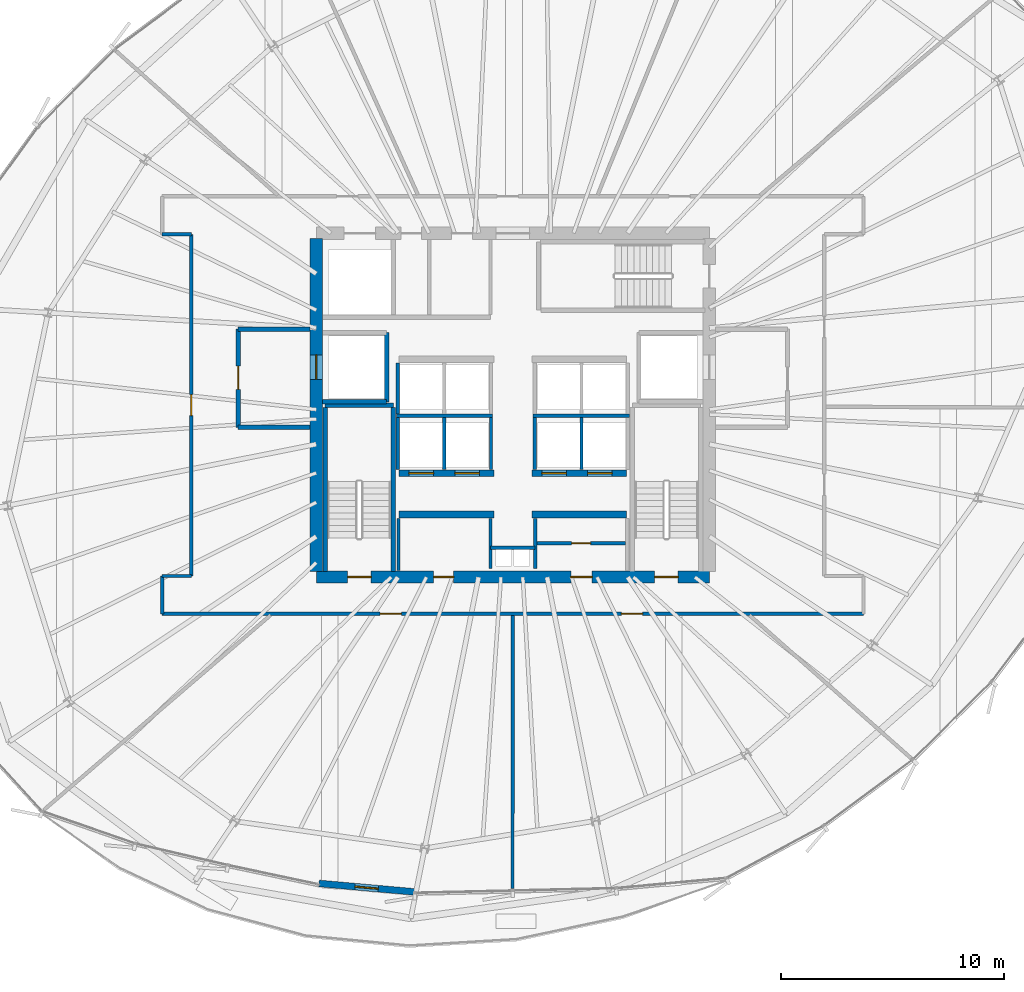
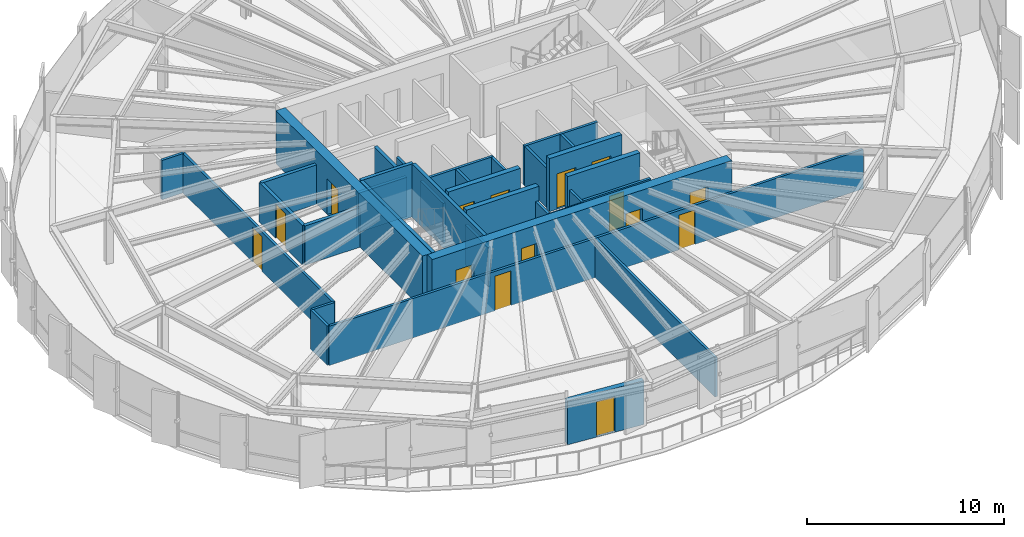
# One storey, part 31 of 37: 34 walls, 15 doors, 15 openings.
"""IFC4 building model written with IfcOpenShell, lengths in metres."""

from ifc_helpers import new_model, si_unit, direction, frame, frame_2d, origin, place, context, subcontext, project, spatial, rectangle, extrude, source, transform, mapped, material, layer, layer_set, type_object, element, fill, save


model = new_model("IFC4")

# Units and contexts
model_context = context("Model", 3, precision=1e-05, world=origin(), true_north=direction((0.0, 1.0)))
body_context = subcontext(model_context, "Body", "Model", "MODEL_VIEW")
ifc_project = project(units=[si_unit("LENGTHUNIT", "METRE"), si_unit("AREAUNIT", "SQUARE_METRE"), si_unit("VOLUMEUNIT", "CUBIC_METRE"), si_unit("PLANEANGLEUNIT", "RADIAN"), si_unit("MASSUNIT", "GRAM", prefix="KILO"), si_unit("THERMODYNAMICTEMPERATUREUNIT", "KELVIN")], contexts=[model_context])

# Site, building, storey
site_placement = place(None, origin())
site = spatial("IfcSite", under=ifc_project, at=site_placement, CompositionType="ELEMENT")
building_placement = place(site_placement, origin())
building = spatial("IfcBuilding", under=site, at=building_placement, Name="Kethvar Cultural Tower", CompositionType="ELEMENT")
storey_placement = place(building_placement, frame((0.0, 0.0, 132.35009765625)))
storey = spatial("IfcBuildingStorey", under=building, at=storey_placement, Name="L33", CompositionType="ELEMENT", Elevation=132.35009765625)

# Wall, openings, doors
ifc_material_1 = material(Name="Concrete C60/75", Category="concrete")
ifc_layer_1 = layer(ifc_material_1, 0.550048828125, Name="Concrete C60/75", Category="concrete")
ifc_layer_set_1 = layer_set([ifc_layer_1], Name="Concrete C60/75 (550 mm)")
wall_type_1 = type_object("IfcWallType", Name="WL-CORE-550", PredefinedType="SHEAR", material=ifc_layer_set_1)
wall_1_placement = place(storey_placement, frame((38.0, 20.10009765625, 0.0), z_axis=(0.0, 0.0, 1.0), x_axis=(1.0, 0.0, 0.0)))
wall_1 = element("IfcWall", 1, at=wall_1_placement, inside=storey, type_object=wall_type_1, Name="L33 Core Shear Wall S", PredefinedType="SHEAR", context=body_context, shape_type="SweptSolid", body=[
    extrude(rectangle(XDim=17.60009765625, YDim=0.550048828125, at=frame_2d((8.800048828125, 0.0))), origin(), (0.0, 0.0, 1.0), 3.2998046875),
])
opening_1_placement = place(wall_1_placement, frame((1.39990234375, 0.0, 0.0)))
opening_1 = element("IfcOpeningElement", 2, at=opening_1_placement, cuts=wall_1, Name="Opening D-L33-S1", PredefinedType="OPENING", context=body_context, shape_type="SweptSolid", body=[
    extrude(rectangle(XDim=1.050048828125, YDim=2.14990234375, at=frame_2d((0.52490234375, 1.074951171875))), frame((0.0, 0.284912109375, 0.0), z_axis=(0.0, -1.0, 0.0), x_axis=(1.0, 0.0, 0.0)), (0.0, 0.0, 1.0), 0.570068359375),
])
opening_2_placement = place(wall_1_placement, frame((15.14990234375, 0.0, 0.0)))
opening_2 = element("IfcOpeningElement", 3, at=opening_2_placement, cuts=wall_1, Name="Opening D-L33-ST2", PredefinedType="OPENING", context=body_context, shape_type="SweptSolid", body=[
    extrude(rectangle(XDim=1.050048828125, YDim=2.14990234375, at=frame_2d((0.52490234375, 1.074951171875))), frame((0.0, 0.284912109375, 0.0), z_axis=(0.0, -1.0, 0.0), x_axis=(1.0, 0.0, 0.0)), (0.0, 0.0, 1.0), 0.570068359375),
])
opening_3_placement = place(wall_1_placement, frame((5.25, 0.0, 0.0)))
opening_3 = element("IfcOpeningElement", 4, at=opening_3_placement, cuts=wall_1, Name="Opening D-L33-V1", PredefinedType="OPENING", context=body_context, shape_type="SweptSolid", body=[
    extrude(rectangle(XDim=0.89990234375, YDim=2.14990234375, at=frame_2d((0.449951171875, 1.074951171875))), frame((0.0, 0.284912109375, 0.0), z_axis=(0.0, -1.0, 0.0), x_axis=(1.0, 0.0, 0.0)), (0.0, 0.0, 1.0), 0.570068359375),
])
opening_4_placement = place(wall_1_placement, frame((11.39990234375, 0.0, 0.0)))
opening_4 = element("IfcOpeningElement", 5, at=opening_4_placement, cuts=wall_1, Name="Opening D-L33-V2", PredefinedType="OPENING", context=body_context, shape_type="SweptSolid", body=[
    extrude(rectangle(XDim=0.949951171875, YDim=2.14990234375, at=frame_2d((0.47509765625, 1.074951171875))), frame((0.0, 0.284912109375, 0.0), z_axis=(0.0, -1.0, 0.0), x_axis=(1.0, 0.0, 0.0)), (0.0, 0.0, 1.0), 0.570068359375),
])
ifc_material_2 = material(Name="Steel S355J2", Category="steel")
door_type_1 = type_object("IfcDoorType", Name="DR-FD60-1050", OperationType="NOTDEFINED", PredefinedType="DOOR", material=ifc_material_2)
shared_shape_1 = source(origin(), body_context, "Body", "SweptSolid", [
    extrude(rectangle(XDim=1.050048828125, YDim=2.14990234375, at=frame_2d((0.52490234375, 1.074951171875))), frame((0.0, 0.02490234375, 0.0), z_axis=(0.0, -1.0, 0.0), x_axis=(1.0, 0.0, 0.0)), (0.0, 0.0, 1.0), 0.050048828125),
])
door_1_placement = place(opening_1_placement, origin())
door_1 = element("IfcDoor", 6, at=door_1_placement, inside=storey, type_object=door_type_1, Name="L33 Exit Stair 1 Door", OperationType="SINGLE_SWING_LEFT", OverallHeight=2.14990234375, OverallWidth=1.050048828125, PredefinedType="DOOR", context=body_context, shape_type="MappedRepresentation", body=[
    mapped(shared_shape_1, transform((0.0, 0.0, 0.0), scale=1.0)),
])
fill(opening_1, door_1)
door_2_placement = place(opening_2_placement, origin())
door_2 = element("IfcDoor", 7, at=door_2_placement, inside=storey, type_object=door_type_1, Name="L33 Exit Stair 2 Door", OperationType="SINGLE_SWING_RIGHT", OverallHeight=2.14990234375, OverallWidth=1.050048828125, PredefinedType="DOOR", context=body_context, shape_type="MappedRepresentation", body=[
    mapped(shared_shape_1, transform((0.0, 0.0, 0.0), scale=1.0)),
])
fill(opening_2, door_2)
ifc_material_3 = material(Name="Architectural Oak Timber", Category="wood")
door_type_2 = type_object("IfcDoorType", Name="DR-FD30-950", OperationType="NOTDEFINED", PredefinedType="DOOR", material=ifc_material_3)
shared_shape_2 = source(origin(), body_context, "Body", "SweptSolid", [
    extrude(rectangle(XDim=0.949951171875, YDim=2.14990234375, at=frame_2d((0.47509765625, 1.074951171875))), frame((0.0, 0.02490234375, 0.0), z_axis=(0.0, -1.0, 0.0), x_axis=(1.0, 0.0, 0.0)), (0.0, 0.0, 1.0), 0.050048828125),
])
door_3_placement = place(opening_4_placement, origin())
door_3 = element("IfcDoor", 8, at=door_3_placement, inside=storey, type_object=door_type_2, Name="L33 Bindery Supply Door", OperationType="SINGLE_SWING_RIGHT", OverallHeight=2.14990234375, OverallWidth=0.949951171875, PredefinedType="DOOR", context=body_context, shape_type="MappedRepresentation", body=[
    mapped(shared_shape_2, transform((0.0, 0.0, 0.0), scale=1.0)),
])
fill(opening_4, door_3)
door_type_3 = type_object("IfcDoorType", Name="DR-FD30-900", OperationType="NOTDEFINED", PredefinedType="DOOR", material=ifc_material_3)
shared_shape_3 = source(origin(), body_context, "Body", "SweptSolid", [
    extrude(rectangle(XDim=0.89990234375, YDim=2.14990234375, at=frame_2d((0.449951171875, 1.074951171875))), frame((0.0, 0.02490234375, 0.0), z_axis=(0.0, -1.0, 0.0), x_axis=(1.0, 0.0, 0.0)), (0.0, 0.0, 1.0), 0.050048828125),
])
door_4_placement = place(opening_3_placement, origin())
door_4 = element("IfcDoor", 9, at=door_4_placement, inside=storey, type_object=door_type_3, Name="L33 Folio Vault Door", OperationType="SINGLE_SWING_LEFT", OverallHeight=2.14990234375, OverallWidth=0.89990234375, PredefinedType="DOOR", context=body_context, shape_type="MappedRepresentation", body=[
    mapped(shared_shape_3, transform((0.0, 0.0, 0.0), scale=1.0)),
])
fill(opening_3, door_4)

# Wall, opening, door
wall_2_placement = place(storey_placement, frame((38.0, 35.260009765625, 0.0), z_axis=(0.0, 0.0, 1.0), x_axis=(0.0, -1.0, 0.0)))
wall_2 = element("IfcWall", 10, at=wall_2_placement, inside=storey, type_object=wall_type_1, Name="L33 Core Shear Wall W", PredefinedType="SHEAR", context=body_context, shape_type="SweptSolid", body=[
    extrude(rectangle(XDim=14.919921875, YDim=0.550048828125, at=frame_2d((7.4599609375, 0.0))), origin(), (0.0, 0.0, 1.0), 3.2998046875),
])
opening_5_placement = place(wall_2_placement, frame((5.2099609375, 0.0, 0.0)))
opening_5 = element("IfcOpeningElement", 11, at=opening_5_placement, cuts=wall_2, Name="Opening LD-1", PredefinedType="OPENING", context=body_context, shape_type="SweptSolid", body=[
    extrude(rectangle(XDim=1.10009765625, YDim=2.199951171875, at=frame_2d((0.550048828125, 1.10009765625))), frame((0.0, 0.284912109375, 0.0), z_axis=(0.0, -1.0, 0.0), x_axis=(1.0, 0.0, 0.0)), (0.0, 0.0, 1.0), 0.570068359375),
])
door_type_4 = type_object("IfcDoorType", Name="DR-LIFT-SLIDE-1100", OperationType="NOTDEFINED", PredefinedType="DOOR", material=ifc_material_2)
shared_shape_4 = source(origin(), body_context, "Body", "SweptSolid", [
    extrude(rectangle(XDim=1.10009765625, YDim=2.199951171875, at=frame_2d((0.550048828125, 1.10009765625))), frame((0.0, 0.02490234375, 0.0), z_axis=(0.0, -1.0, 0.0), x_axis=(1.0, 0.0, 0.0)), (0.0, 0.0, 1.0), 0.050048828125),
])
door_5_placement = place(opening_5_placement, origin())
door_5 = element("IfcDoor", 12, at=door_5_placement, inside=storey, type_object=door_type_4, Name="L33 Firefighting Lift Landing Door FFL-01", OperationType="SLIDING_TO_LEFT", OverallHeight=2.199951171875, OverallWidth=1.10009765625, PredefinedType="DOOR", context=body_context, shape_type="MappedRepresentation", body=[
    mapped(shared_shape_4, transform((0.0, 0.0, 0.0), scale=1.0)),
])
fill(opening_5, door_5)

ifc_material_4 = material(Name="Concrete C40/50", Category="concrete")
ifc_layer_2 = layer(ifc_material_4, 0.300048828125, Name="Concrete C40/50", Category="concrete")
ifc_layer_set_2 = layer_set([ifc_layer_2], Name="Concrete C40/50 (300 mm)")
wall_type_2 = type_object("IfcWallType", Name="WL-EXT-TER-300", PredefinedType="SOLIDWALL", material=ifc_layer_set_2)
wall_3_placement = place(storey_placement, frame((42.387939453125, 6.001220703125, 0.0), z_axis=(0.0, 0.0, 1.0), x_axis=(-0.996093949993, 0.088299732662, 0.0)))
wall_3 = element("IfcWall", 13, at=wall_3_placement, inside=storey, type_object=wall_type_2, Name="L33 Sky Terrace Access Wall", PredefinedType="SOLIDWALL", context=body_context, shape_type="SweptSolid", body=[
    extrude(rectangle(XDim=4.282958984375, YDim=0.300048828125, at=frame_2d((2.1416015625, 0.0))), origin(), (0.0, 0.0, 1.0), 2.724853515625),
])
opening_6_placement = place(wall_3_placement, frame((1.616455078125, 0.0, 0.0)))
opening_6 = element("IfcOpeningElement", 14, at=opening_6_placement, cuts=wall_3, Name="Opening D-L33-T1", PredefinedType="OPENING", context=body_context, shape_type="SweptSolid", body=[
    extrude(rectangle(XDim=1.050048828125, YDim=2.199951171875, at=frame_2d((0.52490234375, 1.10009765625))), frame((0.0, 0.159912109375, 0.0), z_axis=(0.0, -1.0, 0.0), x_axis=(1.0, 0.0, 0.0)), (0.0, 0.0, 1.0), 0.320068359375),
])
ifc_material_5 = material(Name="Aluminium 6063-T6", Category="aluminium")
door_type_5 = type_object("IfcDoorType", Name="DR-EXT-TER-1050", OperationType="NOTDEFINED", PredefinedType="DOOR", material=ifc_material_5)
shared_shape_5 = source(origin(), body_context, "Body", "SweptSolid", [
    extrude(rectangle(XDim=1.050048828125, YDim=2.199951171875, at=frame_2d((0.52490234375, 1.10009765625))), frame((0.0, 0.02490234375, 0.0), z_axis=(0.0, -1.0, 0.0), x_axis=(1.0, 0.0, 0.0)), (0.0, 0.0, 1.0), 0.050048828125),
])
door_6_placement = place(opening_6_placement, origin())
door_6 = element("IfcDoor", 15, at=door_6_placement, inside=storey, type_object=door_type_5, Name="L33 Sky Terrace Access Door D-L33-T1", OperationType="SINGLE_SWING_RIGHT", OverallHeight=2.199951171875, OverallWidth=1.050048828125, PredefinedType="DOOR", context=body_context, shape_type="MappedRepresentation", body=[
    mapped(shared_shape_5, transform((0.0, 0.0, 0.0), scale=1.0)),
])
fill(opening_6, door_6)

# Walls
ifc_material_6 = material(Name="Gypsum Fireboard Partition")
ifc_layer_3 = layer(ifc_material_6, 0.14990234375, Name="Gypsum Fireboard Partition")
ifc_layer_set_3 = layer_set([ifc_layer_3], Name="Gypsum Fireboard Partition (150 mm)")
wall_type_3 = type_object("IfcWallType", Name="WL-FIRE-150", PredefinedType="PARTITIONING", material=ifc_layer_set_3)
wall_4_placement = place(storey_placement, frame((45.800048828125, 21.419921875, 0.0), z_axis=(0.0, 0.0, 1.0), x_axis=(1.0, 0.0, 0.0)))
element("IfcWall", 16, at=wall_4_placement, inside=storey, type_object=wall_type_3, Name="L33 Core Riser Wall", PredefinedType="PARTITIONING", context=body_context, shape_type="SweptSolid", body=[
    extrude(rectangle(XDim=2.0, YDim=0.14990234375, at=frame_2d((1.0, 0.0))), origin(), (0.0, 0.0, 1.0), 2.44482421875),
])
for number, where, z_axis, x_axis, name in (
    (17, (45.800048828125, 20.47998046875, 0.0), (0.0, 0.0, 1.0), (0.0, 1.0, 0.0), "L33 Core Riser West Wall"),
    (18, (47.800048828125, 20.47998046875, 0.0), (0.0, 0.0, 1.0), (0.0, 1.0, 0.0), "L33 Core Riser East Wall"),
):
    element("IfcWall", number, at=place(storey_placement, frame(where, z_axis=z_axis, x_axis=x_axis)), inside=storey, type_object=wall_type_3, Name=name, PredefinedType="PARTITIONING", context=body_context, shape_type="SweptSolid", body=[
        extrude(rectangle(XDim=2.239990234375, YDim=0.14990234375, at=frame_2d((1.1201171875, 0.0))), origin(), (0.0, 0.0, 1.0), 2.44482421875),
    ])
wall_5_placement = place(storey_placement, frame((41.679931640625, 20.385009765625, 0.0), z_axis=(0.0, 0.0, 1.0), x_axis=(0.0, 1.0, 0.0)))
element("IfcWall", 19, at=wall_5_placement, inside=storey, type_object=wall_type_3, Name="L33 Reclaimed West Outer Wall", PredefinedType="PARTITIONING", context=body_context, shape_type="SweptSolid", body=[
    extrude(rectangle(XDim=2.344970703125, YDim=0.14990234375, at=frame_2d((1.17236328125, 0.0))), origin(), (0.0, 0.0, 1.0), 2.44482421875),
])

# Wall, opening, door
wall_6_placement = place(storey_placement, frame((47.8798828125, 21.6201171875, 0.0), z_axis=(0.0, 0.0, 1.0), x_axis=(1.0, 0.0, 0.0)))
wall_6 = element("IfcWall", 20, at=wall_6_placement, inside=storey, type_object=wall_type_3, Name="L33 Pantry Gallery Wall E", PredefinedType="PARTITIONING", context=body_context, shape_type="SweptSolid", body=[
    extrude(rectangle(XDim=3.960205078125, YDim=0.14990234375, at=frame_2d((1.97998046875, 0.0))), origin(), (0.0, 0.0, 1.0), 2.44482421875),
])
opening_7_placement = place(wall_6_placement, frame((1.550048828125, 0.0, 0.0)))
opening_7 = element("IfcOpeningElement", 21, at=opening_7_placement, cuts=wall_6, Name="Opening D-L33-V3", PredefinedType="OPENING", context=body_context, shape_type="SweptSolid", body=[
    extrude(rectangle(XDim=0.85009765625, YDim=2.14990234375, at=frame_2d((0.425048828125, 1.074951171875))), frame((0.0, 0.0849609375, 0.0), z_axis=(0.0, -1.0, 0.0), x_axis=(1.0, 0.0, 0.0)), (0.0, 0.0, 1.0), 0.169921875),
])
door_type_6 = type_object("IfcDoorType", Name="DR-FD30-850", OperationType="NOTDEFINED", PredefinedType="DOOR", material=ifc_material_2)
shared_shape_6 = source(origin(), body_context, "Body", "SweptSolid", [
    extrude(rectangle(XDim=0.85009765625, YDim=2.14990234375, at=frame_2d((0.425048828125, 1.074951171875))), frame((0.0, 0.02490234375, 0.0), z_axis=(0.0, -1.0, 0.0), x_axis=(1.0, 0.0, 0.0)), (0.0, 0.0, 1.0), 0.050048828125),
])
door_7_placement = place(opening_7_placement, origin())
door_7 = element("IfcDoor", 22, at=door_7_placement, inside=storey, type_object=door_type_6, Name="L33 Inner Pantry Gallery Door", OperationType="SINGLE_SWING_RIGHT", OverallHeight=2.14990234375, OverallWidth=0.85009765625, PredefinedType="DOOR", context=body_context, shape_type="MappedRepresentation", body=[
    mapped(shared_shape_6, transform((0.0, 0.0, 0.0), scale=1.0)),
])
fill(opening_7, door_7)

# Walls
wall_7_placement = place(storey_placement, frame((41.580078125, 27.324951171875, 0.0), z_axis=(0.0, 0.0, 1.0), x_axis=(1.0, 0.0, 0.0)))
element("IfcWall", 23, at=wall_7_placement, inside=storey, type_object=wall_type_3, Name="L33 Mid-High Lift Shaft Back Wall W", PredefinedType="PARTITIONING", context=body_context, shape_type="SweptSolid", body=[
    extrude(rectangle(XDim=4.31982421875, YDim=0.14990234375, at=frame_2d((2.159912109375, 0.0))), origin(), (0.0, 0.0, 1.0), 2.44482421875),
])
wall_8_placement = place(storey_placement, frame((47.699951171875, 27.324951171875, 0.0), z_axis=(0.0, 0.0, 1.0), x_axis=(1.0, 0.0, 0.0)))
element("IfcWall", 24, at=wall_8_placement, inside=storey, type_object=wall_type_3, Name="L33 Mid-High Lift Shaft Back Wall E", PredefinedType="PARTITIONING", context=body_context, shape_type="SweptSolid", body=[
    extrude(rectangle(XDim=4.320068359375, YDim=0.14990234375, at=frame_2d((2.16015625, 0.0))), origin(), (0.0, 0.0, 1.0), 2.44482421875),
])
for number, where, z_axis, x_axis, name in (
    (25, (41.64990234375, 24.919921875, 0.0), (0.0, 0.0, 1.0), (0.0, 1.0, 0.0), "L33 Mid-Rise Lift Shaft Outer Wall W"),
    (26, (43.72509765625, 24.919921875, 0.0), (0.0, 0.0, 1.0), (0.0, 1.0, 0.0), "L33 Mid-Rise Lift Shaft Divider W"),
    (27, (45.824951171875, 24.919921875, 0.0), (0.0, 0.0, 1.0), (0.0, 1.0, 0.0), "L33 Mid-Rise Lift Shaft Concourse Wall W"),
    (28, (47.77490234375, 24.919921875, 0.0), (0.0, 0.0, 1.0), (0.0, 1.0, 0.0), "L33 Mid-Rise Lift Shaft Concourse Wall E"),
    (29, (49.875, 24.919921875, 0.0), (0.0, 0.0, 1.0), (0.0, 1.0, 0.0), "L33 Mid-Rise Lift Shaft Divider E"),
):
    element("IfcWall", number, at=place(storey_placement, frame(where, z_axis=z_axis, x_axis=x_axis)), inside=storey, type_object=wall_type_3, Name=name, PredefinedType="PARTITIONING", context=body_context, shape_type="SweptSolid", body=[
        extrude(rectangle(XDim=2.320068359375, YDim=0.14990234375, at=frame_2d((1.16015625, 0.0))), origin(), (0.0, 0.0, 1.0), 2.44482421875),
    ])
wall_9_placement = place(storey_placement, frame((41.64990234375, 27.409912109375, 0.0), z_axis=(0.0, 0.0, 1.0), x_axis=(0.0, 1.0, 0.0)))
element("IfcWall", 30, at=wall_9_placement, inside=storey, type_object=wall_type_3, Name="L33 High-Rise Lift Shaft Outer Wall W", PredefinedType="PARTITIONING", context=body_context, shape_type="SweptSolid", body=[
    extrude(rectangle(XDim=2.27001953125, YDim=0.14990234375, at=frame_2d((1.135009765625, 0.0))), origin(), (0.0, 0.0, 1.0), 2.44482421875),
])

# Wall, openings, doors
wall_10_placement = place(storey_placement, frame((31.10009765625, 18.449951171875, 0.0), z_axis=(0.0, 0.0, 1.0), x_axis=(1.0, 0.0, 0.0)))
wall_10 = element("IfcWall", 31, at=wall_10_placement, inside=storey, type_object=wall_type_3, Name="L33 Corridor Rated Wall S", PredefinedType="PARTITIONING", context=body_context, shape_type="SweptSolid", body=[
    extrude(rectangle(XDim=31.39990234375, YDim=0.14990234375, at=frame_2d((15.699951171875, 0.0))), origin(), (0.0, 0.0, 1.0), 2.44482421875),
])
opening_8_placement = place(wall_10_placement, frame((9.75439453125, 0.0, 0.0)))
opening_8 = element("IfcOpeningElement", 32, at=opening_8_placement, cuts=wall_10, Name="Opening D-L33-01", PredefinedType="OPENING", context=body_context, shape_type="SweptSolid", body=[
    extrude(rectangle(XDim=0.949951171875, YDim=2.14990234375, at=frame_2d((0.47509765625, 1.074951171875))), frame((0.0, 0.0849609375, 0.0), z_axis=(0.0, -1.0, 0.0), x_axis=(1.0, 0.0, 0.0)), (0.0, 0.0, 1.0), 0.169921875),
])
opening_9_placement = place(wall_10_placement, frame((20.562744140625, 0.0, 0.0)))
opening_9 = element("IfcOpeningElement", 33, at=opening_9_placement, cuts=wall_10, Name="Opening D-L33-02", PredefinedType="OPENING", context=body_context, shape_type="SweptSolid", body=[
    extrude(rectangle(XDim=0.949951171875, YDim=2.14990234375, at=frame_2d((0.47509765625, 1.074951171875))), frame((0.0, 0.0849609375, 0.0), z_axis=(0.0, -1.0, 0.0), x_axis=(1.0, 0.0, 0.0)), (0.0, 0.0, 1.0), 0.169921875),
])
door_8_placement = place(opening_8_placement, origin())
door_8 = element("IfcDoor", 34, at=door_8_placement, inside=storey, type_object=door_type_2, Name="L33 Curatorial Administration Office 01 Door", OperationType="SINGLE_SWING_RIGHT", OverallHeight=2.14990234375, OverallWidth=0.949951171875, PredefinedType="DOOR", context=body_context, shape_type="MappedRepresentation", body=[
    mapped(shared_shape_2, transform((0.0, 0.0, 0.0), scale=1.0)),
])
fill(opening_8, door_8)
door_9_placement = place(opening_9_placement, origin())
door_9 = element("IfcDoor", 35, at=door_9_placement, inside=storey, type_object=door_type_2, Name="L33 Foundation Executive Office 02 Door", OperationType="SINGLE_SWING_LEFT", OverallHeight=2.14990234375, OverallWidth=0.949951171875, PredefinedType="DOOR", context=body_context, shape_type="MappedRepresentation", body=[
    mapped(shared_shape_2, transform((0.0, 0.0, 0.0), scale=1.0)),
])
fill(opening_9, door_9)

# Wall
wall_11_placement = place(storey_placement, frame((31.10009765625, 35.449951171875, 0.0), z_axis=(0.0, 0.0, 1.0), x_axis=(1.0, 0.0, 0.0)))
element("IfcWall", 36, at=wall_11_placement, inside=storey, type_object=wall_type_3, Name="L33 Corridor Rated Wall WNT", PredefinedType="PARTITIONING", context=body_context, shape_type="SweptSolid", body=[
    extrude(rectangle(XDim=1.2998046875, YDim=0.14990234375, at=frame_2d((0.64990234375, 0.0))), origin(), (0.0, 0.0, 1.0), 2.44482421875),
])

# Wall, opening, door
wall_12_placement = place(storey_placement, frame((32.39990234375, 35.449951171875, 0.0), z_axis=(0.0, 0.0, 1.0), x_axis=(0.0, -1.0, 0.0)))
wall_12 = element("IfcWall", 37, at=wall_12_placement, inside=storey, type_object=wall_type_3, Name="L33 Corridor Rated Wall WM", PredefinedType="PARTITIONING", context=body_context, shape_type="SweptSolid", body=[
    extrude(rectangle(XDim=15.300048828125, YDim=0.14990234375, at=frame_2d((7.64990234375, 0.0))), origin(), (0.0, 0.0, 1.0), 2.44482421875),
])
opening_10_placement = place(wall_12_placement, frame((7.175048828125, 0.0, 0.0)))
opening_10 = element("IfcOpeningElement", 38, at=opening_10_placement, cuts=wall_12, Name="Opening D-L33-08", PredefinedType="OPENING", context=body_context, shape_type="SweptSolid", body=[
    extrude(rectangle(XDim=0.949951171875, YDim=2.14990234375, at=frame_2d((0.47509765625, 1.074951171875))), frame((0.0, 0.0849609375, 0.0), z_axis=(0.0, -1.0, 0.0), x_axis=(1.0, 0.0, 0.0)), (0.0, 0.0, 1.0), 0.169921875),
])
door_10_placement = place(opening_10_placement, origin())
door_10 = element("IfcDoor", 39, at=door_10_placement, inside=storey, type_object=door_type_2, Name="L33 Patron Reception 08 Door", OperationType="SINGLE_SWING_LEFT", OverallHeight=2.14990234375, OverallWidth=0.949951171875, PredefinedType="DOOR", context=body_context, shape_type="MappedRepresentation", body=[
    mapped(shared_shape_2, transform((0.0, 0.0, 0.0), scale=1.0)),
])
fill(opening_10, door_10)

# Walls
wall_13_placement = place(storey_placement, frame((32.39990234375, 20.14990234375, 0.0), z_axis=(0.0, 0.0, 1.0), x_axis=(-1.0, 0.0, 0.0)))
element("IfcWall", 40, at=wall_13_placement, inside=storey, type_object=wall_type_3, Name="L33 Corridor Rated Wall WST", PredefinedType="PARTITIONING", context=body_context, shape_type="SweptSolid", body=[
    extrude(rectangle(XDim=1.2998046875, YDim=0.14990234375, at=frame_2d((0.64990234375, 0.0))), origin(), (0.0, 0.0, 1.0), 2.44482421875),
])
wall_14_placement = place(storey_placement, frame((31.10009765625, 20.14990234375, 0.0), z_axis=(0.0, 0.0, 1.0), x_axis=(0.0, -1.0, 0.0)))
element("IfcWall", 41, at=wall_14_placement, inside=storey, type_object=wall_type_3, Name="L33 Corridor Rated Wall WS", PredefinedType="PARTITIONING", context=body_context, shape_type="SweptSolid", body=[
    extrude(rectangle(XDim=1.699951171875, YDim=0.14990234375, at=frame_2d((0.85009765625, 0.0))), origin(), (0.0, 0.0, 1.0), 2.44482421875),
])
ifc_layer_4 = layer(ifc_material_4, 0.199951171875, Name="Concrete C40/50", Category="concrete")
ifc_layer_set_4 = layer_set([ifc_layer_4], Name="Concrete C40/50 (200 mm)")
wall_type_4 = type_object("IfcWallType", Name="WL-FIRE-200", PredefinedType="PARTITIONING", material=ifc_layer_set_4)
wall_15_placement = place(storey_placement, frame((41.14990234375, 27.949951171875, 0.0), z_axis=(0.0, 0.0, 1.0), x_axis=(0.0, 1.0, 0.0)))
element("IfcWall", 42, at=wall_15_placement, inside=storey, type_object=wall_type_4, Name="L33 FFL-01 Shaft Inner Wall", PredefinedType="PARTITIONING", context=body_context, shape_type="SweptSolid", body=[
    extrude(rectangle(XDim=3.10009765625, YDim=0.199951171875, at=frame_2d((1.550048828125, 0.0))), origin(), (0.0, 0.0, 1.0), 2.44482421875),
])
wall_16_placement = place(storey_placement, frame((38.284912109375, 27.949951171875, 0.0), z_axis=(0.0, 0.0, 1.0), x_axis=(1.0, 0.0, 0.0)))
element("IfcWall", 43, at=wall_16_placement, inside=storey, type_object=wall_type_4, Name="L33 FFL-01 Shaft South Wall", PredefinedType="PARTITIONING", context=body_context, shape_type="SweptSolid", body=[
    extrude(rectangle(XDim=2.864990234375, YDim=0.199951171875, at=frame_2d((1.4326171875, 0.0))), origin(), (0.0, 0.0, 1.0), 2.44482421875),
])

# Wall, opening, door
wall_17_placement = place(storey_placement, frame((34.5, 31.199951171875, 0.0), z_axis=(0.0, 0.0, 1.0), x_axis=(0.0, -1.0, 0.0)))
wall_17 = element("IfcWall", 44, at=wall_17_placement, inside=storey, type_object=wall_type_4, Name="L33 Firefighting Lobby 1 Wall", PredefinedType="PARTITIONING", context=body_context, shape_type="SweptSolid", body=[
    extrude(rectangle(XDim=4.39990234375, YDim=0.199951171875, at=frame_2d((2.199951171875, 0.0))), origin(), (0.0, 0.0, 1.0), 2.44482421875),
])
opening_11_placement = place(wall_17_placement, frame((1.64990234375, 0.0, 0.0)))
opening_11 = element("IfcOpeningElement", 45, at=opening_11_placement, cuts=wall_17, Name="Opening D-L33-F1", PredefinedType="OPENING", context=body_context, shape_type="SweptSolid", body=[
    extrude(rectangle(XDim=1.050048828125, YDim=2.14990234375, at=frame_2d((0.52490234375, 1.074951171875))), frame((0.0, 0.10986328125, 0.0), z_axis=(0.0, -1.0, 0.0), x_axis=(1.0, 0.0, 0.0)), (0.0, 0.0, 1.0), 0.219970703125),
])
door_11_placement = place(opening_11_placement, origin())
door_11 = element("IfcDoor", 46, at=door_11_placement, inside=storey, type_object=door_type_1, Name="L33 Firefighting Lobby 1 Fire Door", OperationType="SINGLE_SWING_LEFT", OverallHeight=2.14990234375, OverallWidth=1.050048828125, PredefinedType="DOOR", context=body_context, shape_type="MappedRepresentation", body=[
    mapped(shared_shape_1, transform((0.0, 0.0, 0.0), scale=1.0)),
])
fill(opening_11, door_11)

# Walls
for number, where, z_axis, x_axis, name in (
    (47, (34.5, 26.800048828125, 0.0), (0.0, 0.0, 1.0), (1.0, 0.0, 0.0), "L33 FF Lobby 1 South Wall"),
    (48, (34.5, 31.199951171875, 0.0), (0.0, 0.0, 1.0), (1.0, 0.0, 0.0), "L33 FF Lobby 1 North Wall"),
):
    element("IfcWall", number, at=place(storey_placement, frame(where, z_axis=z_axis, x_axis=x_axis)), inside=storey, type_object=wall_type_4, Name=name, PredefinedType="PARTITIONING", context=body_context, shape_type="SweptSolid", body=[
        extrude(rectangle(XDim=3.215087890625, YDim=0.199951171875, at=frame_2d((1.607421875, 0.0))), origin(), (0.0, 0.0, 1.0), 2.44482421875),
    ])
ifc_material_7 = material(Name="Gypsum Acoustic Partition")
ifc_layer_5 = layer(ifc_material_7, 0.14990234375, Name="Gypsum Acoustic Partition")
ifc_layer_set_5 = layer_set([ifc_layer_5], Name="Gypsum Acoustic Partition (150 mm)")
wall_type_5 = type_object("IfcWallType", Name="WL-PART-150", PredefinedType="PARTITIONING", material=ifc_layer_set_5)
wall_18_placement = place(storey_placement, frame((46.794921875, 18.3701171875, 0.0), z_axis=(0.0, 0.0, 1.0), x_axis=(-0.000739423048, -0.999999726627, 0.0)))
element("IfcWall", 49, at=wall_18_placement, inside=storey, type_object=wall_type_5, Name="L33 Radial Partition Wall 02", PredefinedType="PARTITIONING", context=body_context, shape_type="SweptSolid", body=[
    extrude(rectangle(XDim=12.216552734375, YDim=0.14990234375, at=frame_2d((6.1083984375, 0.0))), origin(), (0.0, 0.0, 1.0), 2.44482421875),
])
ifc_material_8 = material(Name="Concrete C50/60", Category="concrete")
ifc_layer_6 = layer(ifc_material_8, 0.300048828125, Name="Concrete C50/60", Category="concrete")
ifc_layer_set_6 = layer_set([ifc_layer_6], Name="Concrete C50/60 (300 mm)")
wall_type_6 = type_object("IfcWallType", Name="WL-SHAFT-300", PredefinedType="SHEAR", material=ifc_layer_set_6)
for number, where, z_axis, x_axis, name in (
    (50, (41.699951171875, 22.89990234375, 0.0), (0.0, 0.0, 1.0), (1.0, 0.0, 0.0), "L33 Core Lift Spine Wall MID1W"),
    (51, (47.64990234375, 22.89990234375, 0.0), (0.0, 0.0, 1.0), (1.0, 0.0, 0.0), "L33 Core Lift Spine Wall MID1E"),
):
    element("IfcWall", number, at=place(storey_placement, frame(where, z_axis=z_axis, x_axis=x_axis)), inside=storey, type_object=wall_type_6, Name=name, PredefinedType="SHEAR", context=body_context, shape_type="SweptSolid", body=[
        extrude(rectangle(XDim=4.25, YDim=0.300048828125, at=frame_2d((2.125, 0.0))), origin(), (0.0, 0.0, 1.0), 3.2998046875),
    ])

# Wall, openings, doors
wall_19_placement = place(storey_placement, frame((41.699951171875, 24.75, 0.0), z_axis=(0.0, 0.0, 1.0), x_axis=(1.0, 0.0, 0.0)))
wall_19 = element("IfcWall", 52, at=wall_19_placement, inside=storey, type_object=wall_type_6, Name="L33 Core Lift Spine Wall MID2W", PredefinedType="SHEAR", context=body_context, shape_type="SweptSolid", body=[
    extrude(rectangle(XDim=4.25, YDim=0.300048828125, at=frame_2d((2.125, 0.0))), origin(), (0.0, 0.0, 1.0), 3.2998046875),
])
opening_12_placement = place(wall_19_placement, frame((0.449951171875, 0.0, 0.0)))
opening_12 = element("IfcOpeningElement", 53, at=opening_12_placement, cuts=wall_19, Name="Opening LD-M1", PredefinedType="OPENING", context=body_context, shape_type="SweptSolid", body=[
    extrude(rectangle(XDim=1.10009765625, YDim=2.199951171875, at=frame_2d((0.550048828125, 1.10009765625))), frame((0.0, 0.159912109375, 0.0), z_axis=(0.0, -1.0, 0.0), x_axis=(1.0, 0.0, 0.0)), (0.0, 0.0, 1.0), 0.320068359375),
])
opening_13_placement = place(wall_19_placement, frame((2.5, 0.0, 0.0)))
opening_13 = element("IfcOpeningElement", 54, at=opening_13_placement, cuts=wall_19, Name="Opening LD-M2", PredefinedType="OPENING", context=body_context, shape_type="SweptSolid", body=[
    extrude(rectangle(XDim=1.10009765625, YDim=2.199951171875, at=frame_2d((0.550048828125, 1.10009765625))), frame((0.0, 0.159912109375, 0.0), z_axis=(0.0, -1.0, 0.0), x_axis=(1.0, 0.0, 0.0)), (0.0, 0.0, 1.0), 0.320068359375),
])
door_12_placement = place(opening_12_placement, origin())
door_12 = element("IfcDoor", 55, at=door_12_placement, inside=storey, type_object=door_type_4, Name="L33 Mid-Rise Lift Landing Door M1", OperationType="SLIDING_TO_RIGHT", OverallHeight=2.199951171875, OverallWidth=1.10009765625, PredefinedType="DOOR", context=body_context, shape_type="MappedRepresentation", body=[
    mapped(shared_shape_4, transform((0.0, 0.0, 0.0), scale=1.0)),
])
fill(opening_12, door_12)
door_13_placement = place(opening_13_placement, origin())
door_13 = element("IfcDoor", 56, at=door_13_placement, inside=storey, type_object=door_type_4, Name="L33 Mid-Rise Lift Landing Door M2", OperationType="SLIDING_TO_RIGHT", OverallHeight=2.199951171875, OverallWidth=1.10009765625, PredefinedType="DOOR", context=body_context, shape_type="MappedRepresentation", body=[
    mapped(shared_shape_4, transform((0.0, 0.0, 0.0), scale=1.0)),
])
fill(opening_13, door_13)

wall_20_placement = place(storey_placement, frame((47.64990234375, 24.75, 0.0), z_axis=(0.0, 0.0, 1.0), x_axis=(1.0, 0.0, 0.0)))
wall_20 = element("IfcWall", 57, at=wall_20_placement, inside=storey, type_object=wall_type_6, Name="L33 Core Lift Spine Wall MID2E", PredefinedType="SHEAR", context=body_context, shape_type="SweptSolid", body=[
    extrude(rectangle(XDim=4.25, YDim=0.300048828125, at=frame_2d((2.125, 0.0))), origin(), (0.0, 0.0, 1.0), 3.2998046875),
])
opening_14_placement = place(wall_20_placement, frame((0.449951171875, 0.0, 0.0)))
opening_14 = element("IfcOpeningElement", 58, at=opening_14_placement, cuts=wall_20, Name="Opening LD-M3", PredefinedType="OPENING", context=body_context, shape_type="SweptSolid", body=[
    extrude(rectangle(XDim=1.10009765625, YDim=2.199951171875, at=frame_2d((0.550048828125, 1.10009765625))), frame((0.0, 0.159912109375, 0.0), z_axis=(0.0, -1.0, 0.0), x_axis=(1.0, 0.0, 0.0)), (0.0, 0.0, 1.0), 0.320068359375),
])
opening_15_placement = place(wall_20_placement, frame((2.5, 0.0, 0.0)))
opening_15 = element("IfcOpeningElement", 59, at=opening_15_placement, cuts=wall_20, Name="Opening LD-M4", PredefinedType="OPENING", context=body_context, shape_type="SweptSolid", body=[
    extrude(rectangle(XDim=1.10009765625, YDim=2.199951171875, at=frame_2d((0.550048828125, 1.10009765625))), frame((0.0, 0.159912109375, 0.0), z_axis=(0.0, -1.0, 0.0), x_axis=(1.0, 0.0, 0.0)), (0.0, 0.0, 1.0), 0.320068359375),
])
door_14_placement = place(opening_14_placement, origin())
door_14 = element("IfcDoor", 60, at=door_14_placement, inside=storey, type_object=door_type_4, Name="L33 Mid-Rise Lift Landing Door M3", OperationType="SLIDING_TO_RIGHT", OverallHeight=2.199951171875, OverallWidth=1.10009765625, PredefinedType="DOOR", context=body_context, shape_type="MappedRepresentation", body=[
    mapped(shared_shape_4, transform((0.0, 0.0, 0.0), scale=1.0)),
])
fill(opening_14, door_14)
door_15_placement = place(opening_15_placement, origin())
door_15 = element("IfcDoor", 61, at=door_15_placement, inside=storey, type_object=door_type_4, Name="L33 Mid-Rise Lift Landing Door M4", OperationType="SLIDING_TO_RIGHT", OverallHeight=2.199951171875, OverallWidth=1.10009765625, PredefinedType="DOOR", context=body_context, shape_type="MappedRepresentation", body=[
    mapped(shared_shape_4, transform((0.0, 0.0, 0.0), scale=1.0)),
])
fill(opening_15, door_15)

# Walls
ifc_layer_7 = layer(ifc_material_8, 0.199951171875, Name="Concrete C50/60", Category="concrete")
ifc_layer_set_7 = layer_set([ifc_layer_7], Name="Concrete C50/60 (200 mm)")
wall_type_7 = type_object("IfcWallType", Name="WL-STSHAFT-200", PredefinedType="SHEAR", material=ifc_layer_set_7)
wall_21_placement = place(storey_placement, frame((38.389892578125, 27.800048828125, 0.0), z_axis=(0.0, 0.0, 1.0), x_axis=(1.0, 0.0, 0.0)))
element("IfcWall", 62, at=wall_21_placement, inside=storey, type_object=wall_type_7, Name="L33 ST-01 Stair Shaft Wall FAR", PredefinedType="SHEAR", context=body_context, shape_type="SweptSolid", body=[
    extrude(rectangle(XDim=3.06005859375, YDim=0.199951171875, at=frame_2d((1.530029296875, 0.0))), origin(), (0.0, 0.0, 1.0), 3.2998046875),
])
for number, where, z_axis, x_axis, name in (
    (63, (41.449951171875, 27.699951171875, 0.0), (0.0, 0.0, 1.0), (0.0, -1.0, 0.0), "L33 ST-01 Stair Shaft Wall LEFT"),
    (64, (38.389892578125, 20.35009765625, 0.0), (0.0, 0.0, 1.0), (0.0, 1.0, 0.0), "L33 ST-01 Stair Shaft Wall RIGHT"),
):
    element("IfcWall", number, at=place(storey_placement, frame(where, z_axis=z_axis, x_axis=x_axis)), inside=storey, type_object=wall_type_7, Name=name, PredefinedType="SHEAR", context=body_context, shape_type="SweptSolid", body=[
        extrude(rectangle(XDim=7.349853515625, YDim=0.199951171875, at=frame_2d((3.6748046875, 0.0))), origin(), (0.0, 0.0, 1.0), 3.2998046875),
    ])

save(model, "model.ifc")
